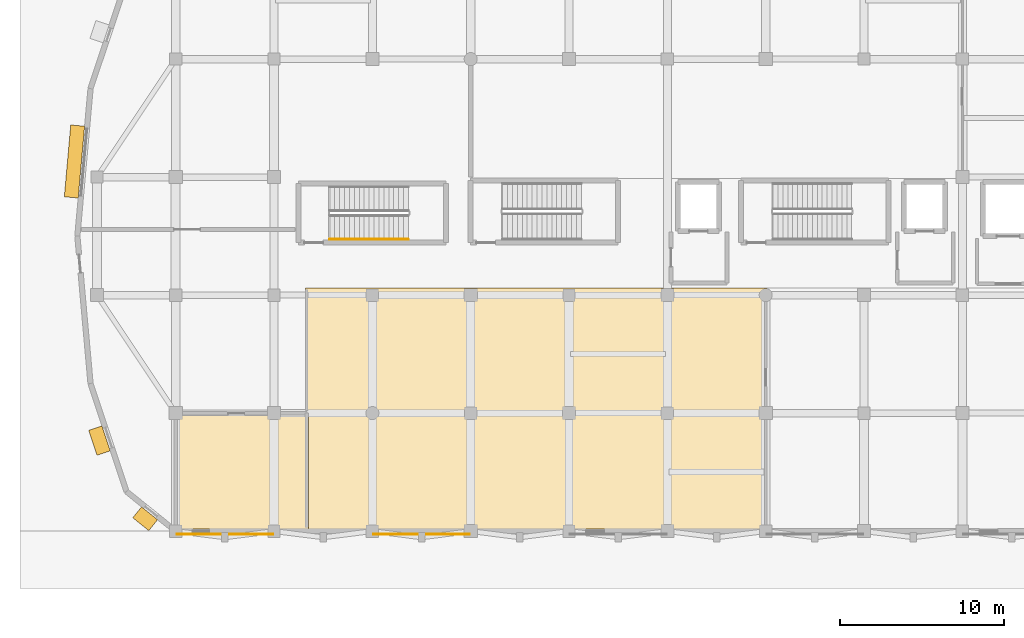
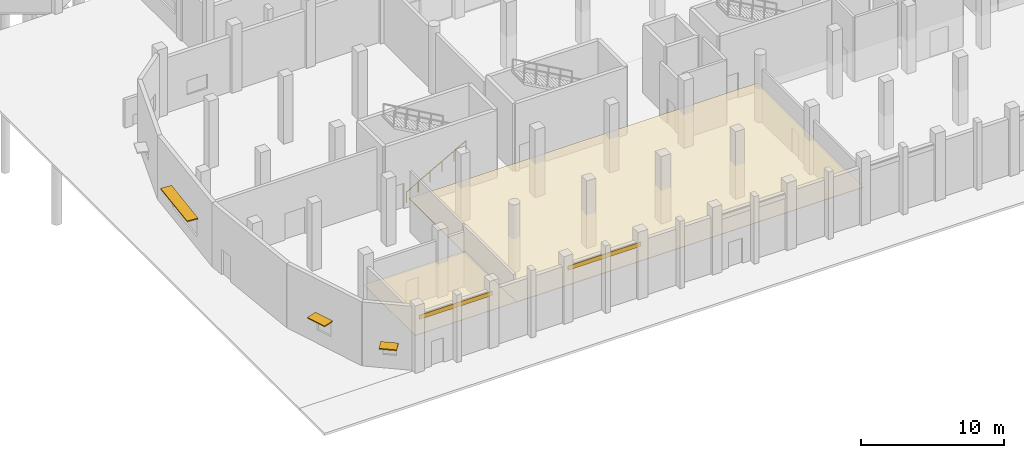
# One storey, part 87 of 103: 4 coverings, 3 shading devices, 1 railing.
"""IFC4 building model written with IfcOpenShell, lengths in metres."""

import ifcopenshell
import ifcopenshell.guid

model = None  # the IFC model being written
_history = None  # IfcOwnerHistory: only IFC2X3 demands one
_inside = {}  # id of a spatial element -> (the spatial element, [elements in it])
_under = {}  # id of a project, library or spatial element -> (it, [spatial elements below it])
_declared = {}  # id of a project -> (the project, [libraries it declares])
_typed = {}  # id of a type object -> (the type object, [elements of that type])
_made_of = {}  # id of a material, layer set ... -> (it, [elements and type objects made of it])


def new_model(schema):
    """Start an empty IFC model of exactly this schema.

    Asked for "IFC4X3", IfcOpenShell would pick the latest addendum, in which some entities
    have other attributes; the version numbers below select the first issue.
    IFC2X3 requires an IfcOwnerHistory on every rooted entity: one is made here for all.
    """
    global model, _history
    if schema == "IFC4X3":
        model = ifcopenshell.file(schema_version=(4, 3, 0, 0))
    else:
        model = ifcopenshell.file(schema=schema)
    _inside.clear()
    _under.clear()
    _declared.clear()
    _typed.clear()
    _made_of.clear()
    _history = None
    if model.schema == "IFC2X3":
        org = make("IfcOrganization", Name="unknown")
        user = make(
            "IfcPersonAndOrganization",
            ThePerson=make("IfcPerson", FamilyName="unknown"),
            TheOrganization=org,
        )
        app = make(
            "IfcApplication",
            ApplicationDeveloper=org,
            Version="unknown",
            ApplicationFullName="unknown",
            ApplicationIdentifier="unknown",
        )
        _history = make(
            "IfcOwnerHistory",
            OwningUser=user,
            OwningApplication=app,
            ChangeAction="ADDED",
            CreationDate=0,
        )
    return model


def make(cls, **values):
    """One entity of the class cls with the attributes given. An attribute that is None is left unset."""
    return model.create_entity(
        cls, **{name: value for name, value in values.items() if value is not None}
    )


def rooted(cls, **values):
    """An entity with a GlobalId (a new one), such as an element, a storey or a relation."""
    return make(cls, GlobalId=ifcopenshell.guid.new(), OwnerHistory=_history, **values)


def si_unit(unit_type, name, prefix=None):
    """IfcSIUnit, for example si_unit("LENGTHUNIT", "METRE", prefix="MILLI")."""
    return make("IfcSIUnit", UnitType=unit_type, Prefix=prefix, Name=name)


def assignment(units):
    """IfcUnitAssignment: the units of a project."""
    return None if units is None else make("IfcUnitAssignment", Units=units)


def point(xyz):
    """IfcCartesianPoint."""
    return None if xyz is None else make("IfcCartesianPoint", Coordinates=xyz)


def direction(xyz):
    """IfcDirection."""
    return None if xyz is None else make("IfcDirection", DirectionRatios=xyz)


def frame(location, z_axis=None, x_axis=None):
    """IfcAxis2Placement3D, a coordinate frame: its origin and axes. An axis left out is left unset."""
    return make(
        "IfcAxis2Placement3D",
        Location=point(location),
        Axis=direction(z_axis),
        RefDirection=direction(x_axis),
    )


def frame_2d(location, x_axis=None):
    """IfcAxis2Placement2D, a coordinate frame in the plane: its origin and x axis."""
    return make(
        "IfcAxis2Placement2D", Location=point(location), RefDirection=direction(x_axis)
    )


def origin():
    """The frame at (0, 0, 0) with its axes left unset."""
    return frame((0.0, 0.0, 0.0))


def origin_2d():
    """The frame at (0, 0) in the plane with its x axis left unset."""
    return frame_2d((0.0, 0.0))


def place(relative_to, where):
    """IfcLocalPlacement: puts the frame where relative to a parent placement (None: the world)."""
    return make(
        "IfcLocalPlacement", PlacementRelTo=relative_to, RelativePlacement=where
    )


def context(
    kind, dimensions, precision=None, world=None, true_north=None, identifier=None
):
    """IfcGeometricRepresentationContext, for example the 3D "Model" context."""
    return make(
        "IfcGeometricRepresentationContext",
        ContextIdentifier=identifier,
        ContextType=kind,
        CoordinateSpaceDimension=dimensions,
        Precision=precision,
        WorldCoordinateSystem=world,
        TrueNorth=true_north,
    )


def subcontext(parent, identifier, kind, view, scale=None):
    """IfcGeometricRepresentationSubContext, for example "Body" below "Model"."""
    return make(
        "IfcGeometricRepresentationSubContext",
        ContextIdentifier=identifier,
        ContextType=kind,
        ParentContext=parent,
        TargetScale=scale,
        TargetView=view,
    )


def project(units=None, contexts=None):
    """IfcProject with its units and contexts."""
    return rooted(
        "IfcProject",
        Name="project",
        RepresentationContexts=contexts,
        UnitsInContext=assignment(units),
    )


def spatial(cls, under=None, at=None, **own):
    """A site, building, storey or space (cls), placed at a placement, below another one or the project."""
    s = rooted(cls, ObjectPlacement=at, **own)
    if under is not None:
        _under.setdefault(under.id(), (under, []))[1].append(s)
    return s


def polyline(points):
    """IfcPolyline through the points."""
    return make("IfcPolyline", Points=[point(p) for p in points])


def profile(cls, at=None, kind="AREA", **sizes):
    """A parametric profile (cls). Its sizes go by their IFC names, for example OverallWidth=200.0."""
    return make(cls, ProfileType=kind, Position=at, **sizes)


def rectangle(**sizes):
    """IfcRectangleProfileDef."""
    return profile("IfcRectangleProfileDef", **sizes)


def circle(**sizes):
    """IfcCircleProfileDef."""
    return profile("IfcCircleProfileDef", **sizes)


def outline(outer, holes=None, kind="AREA"):
    """IfcArbitraryClosedProfileDef: a profile drawn as a closed curve; with holes, ...WithVoids."""
    if holes is None:
        return make("IfcArbitraryClosedProfileDef", ProfileType=kind, OuterCurve=outer)
    return make(
        "IfcArbitraryProfileDefWithVoids",
        ProfileType=kind,
        OuterCurve=outer,
        InnerCurves=holes,
    )


def extrude(swept, where, along, depth):
    """IfcExtrudedAreaSolid: the profile swept, set in the frame where, extruded along a direction by depth."""
    return make(
        "IfcExtrudedAreaSolid",
        SweptArea=swept,
        Position=where,
        ExtrudedDirection=direction(along),
        Depth=depth,
    )


def shape(context_of_items, identifier, shape_type, items):
    """IfcShapeRepresentation: the items that make up one representation, for example the "Body"."""
    return make(
        "IfcShapeRepresentation",
        ContextOfItems=context_of_items,
        RepresentationIdentifier=identifier,
        RepresentationType=shape_type,
        Items=items,
    )


def material(Name=None, Category=None):
    """IfcMaterial."""
    return make("IfcMaterial", Name=Name, Category=Category)


def layer(
    of_material, thickness, ventilated=None, Name=None, Category=None, Priority=None
):
    """IfcMaterialLayer: one layer of a wall or slab, of a material (None: an air gap)."""
    return make(
        "IfcMaterialLayer",
        Material=of_material,
        LayerThickness=thickness,
        IsVentilated=ventilated,
        Name=Name,
        Category=Category,
        Priority=Priority,
    )


def layer_set(layers, Name=None):
    """IfcMaterialLayerSet."""
    return make("IfcMaterialLayerSet", MaterialLayers=layers, LayerSetName=Name)


def made_of(thing, what):
    """Note that an element or type object is made of a material, layer set ...; save() writes the relation."""
    if what is not None:
        _made_of.setdefault(what.id(), (what, []))[1].append(thing)
    return thing


def type_object(cls, material=None, **own):
    """A type object (cls), such as IfcWallType, which elements share."""
    return made_of(rooted(cls, **own), material)


def element(
    cls,
    number,
    at=None,
    inside=None,
    cuts=None,
    type_object=None,
    material=None,
    context=None,
    identifier="Body",
    shape_type=None,
    held_by="IfcProductDefinitionShape",
    body=None,
    shapes=None,
    **own,
):
    """One element of the class cls, such as IfcWall. Its Tag is "e" and its number.

    at: its placement. inside: the storey or other place that contains it. cuts: it is an
    opening in that element (IfcRelVoidsElement). A single representation is given by context,
    identifier, shape_type and body (its items); several are given by shapes. held_by: the class
    of the entity that holds the representations. save() writes the other relations.
    """
    e = rooted(cls, Tag="e%d" % number, ObjectPlacement=at, **own)
    if body is not None:
        shapes = [shape(context, identifier, shape_type, body)]
    if shapes is not None:
        e.Representation = make(held_by, Representations=shapes)
    if inside is not None:
        _inside.setdefault(inside.id(), (inside, []))[1].append(e)
    if cuts is not None:
        rooted(
            "IfcRelVoidsElement", RelatingBuildingElement=cuts, RelatedOpeningElement=e
        )
    if type_object is not None:
        _typed.setdefault(type_object.id(), (type_object, []))[1].append(e)
    return made_of(e, material)


def aggregate(whole, parts):
    """IfcRelAggregates: a whole, such as a stair, and the parts it consists of."""
    return rooted("IfcRelAggregates", RelatingObject=whole, RelatedObjects=parts)


def save(model, path):
    """Write the relations noted so far, then the file.

    IfcRelAggregates (storeys below a building ...), IfcRelContainedInSpatialStructure (elements
    in a storey), IfcRelDefinesByType, IfcRelAssociatesMaterial and IfcRelDeclares: one each for
    every whole, place, type object, material and project.
    """
    for whole, parts in _under.values():
        aggregate(whole, parts)
    for where, things in _inside.values():
        rooted(
            "IfcRelContainedInSpatialStructure",
            RelatedElements=things,
            RelatingStructure=where,
        )
    for kind, things in _typed.values():
        rooted("IfcRelDefinesByType", RelatedObjects=things, RelatingType=kind)
    for what, things in _made_of.values():
        rooted("IfcRelAssociatesMaterial", RelatedObjects=things, RelatingMaterial=what)
    for by, libraries in _declared.values():
        rooted("IfcRelDeclares", RelatingContext=by, RelatedDefinitions=libraries)
    model.write(path)


model = new_model("IFC4")

# Units and contexts
model_context = context("Model", 3, precision=1e-05, world=origin(), true_north=direction((0.0, 1.0)))
body_context = subcontext(model_context, "Body", "Model", "MODEL_VIEW")
ifc_project = project(units=[si_unit("LENGTHUNIT", "METRE"), si_unit("AREAUNIT", "SQUARE_METRE"), si_unit("VOLUMEUNIT", "CUBIC_METRE"), si_unit("PLANEANGLEUNIT", "RADIAN"), si_unit("MASSUNIT", "GRAM", prefix="KILO")], contexts=[model_context])

# Site, building, storey
site_placement = place(None, origin())
site = spatial("IfcSite", under=ifc_project, at=site_placement, CompositionType="ELEMENT")
building_placement = place(site_placement, origin())
building = spatial("IfcBuilding", under=site, at=building_placement, Name="Dunvalen Ferry Terminal", CompositionType="ELEMENT")
storey_placement = place(building_placement, origin())
storey = spatial("IfcBuildingStorey", under=building, at=storey_placement, Name="L00", CompositionType="ELEMENT", Elevation=0.0)

# Coverings
ifc_material_1 = material(Name="Anodised marine aluminium fascia cladding", Category="aluminium")
ifc_layer_1 = layer(ifc_material_1, 0.050048828125, Name="Anodised marine aluminium fascia cladding")
ifc_layer_set_1 = layer_set([ifc_layer_1], Name="Anodised marine aluminium fascia cladding")
covering_type_1 = type_object("IfcCoveringType", Name="ENV-COV-CLD01", PredefinedType="CLADDING", material=ifc_layer_set_1)
for number, where, z_axis, x_axis, name in (
    (1, (9.0, -0.18408203125, 4.35986328125), (0.0, 0.0, 1.0), (1.0, 0.0, 0.0), "L00 Streamline Speed-Line Fascia Band 001"),
    (2, (21.0, -0.18408203125, 4.35986328125), (0.0, 0.0, 1.0), (1.0, 0.0, 0.0), "L00 Streamline Speed-Line Fascia Band 002"),
):
    element("IfcCovering", number, at=place(storey_placement, frame(where, z_axis=z_axis, x_axis=x_axis)), inside=storey, type_object=covering_type_1, Name=name, PredefinedType="CLADDING", context=body_context, shape_type="SweptSolid", body=[
        extrude(rectangle(XDim=5.89990234375, YDim=0.050048828125, at=origin_2d()), origin(), (0.0, 0.0, 1.0), 0.360107421875),
    ])

# Shading devices
ifc_material_2 = material(Name="Anodised marine aluminium EN AW-6063 T6", Category="aluminium")
ifc_layer_2 = layer(ifc_material_2, 0.090087890625, Name="Anodised marine aluminium EN AW-6063 T6")
ifc_layer_set_2 = layer_set([ifc_layer_2], Name="Anodised marine aluminium EN AW-6063 T6")
shading_device_type = type_object("IfcShadingDeviceType", Name="ENV-SHD-AWN01", PredefinedType="AWNING", material=ifc_layer_set_2)
shading_device_1_placement = place(storey_placement, frame((-0.1767578125, 22.5517578125, 2.5849609375), z_axis=(0.0, 0.0, 1.0), x_axis=(-0.088957034029, -0.996035464277, 0.0)))
element("IfcShadingDevice", 3, at=shading_device_1_placement, inside=storey, type_object=shading_device_type, Name="L00 Streamline Brise-Soleil Eyebrow 006", PredefinedType="AWNING", context=body_context, shape_type="SweptSolid", body=[
    extrude(rectangle(XDim=4.39990234375, YDim=0.85009765625, at=origin_2d()), origin(), (0.0, 0.0, 1.0), 0.090087890625),
])
shading_device_2_placement = place(storey_placement, frame((1.3505859375, 5.52197265625, 2.48486328125), z_axis=(0.0, 0.0, 1.0), x_axis=(0.316232085723, -0.948681858138, 0.0)))
element("IfcShadingDevice", 4, at=shading_device_2_placement, inside=storey, type_object=shading_device_type, Name="L00 Streamline Brise-Soleil Eyebrow 007", PredefinedType="AWNING", context=body_context, shape_type="SweptSolid", body=[
    extrude(rectangle(XDim=1.60009765625, YDim=0.85009765625, at=origin_2d()), origin(), (0.0, 0.0, 1.0), 0.090087890625),
])
shading_device_3_placement = place(storey_placement, frame((4.135986328125, 0.7529296875, 2.134765625), z_axis=(0.0, 0.0, 1.0), x_axis=(0.779409252356, -0.626515137361, 0.0)))
element("IfcShadingDevice", 5, at=shading_device_3_placement, inside=storey, type_object=shading_device_type, Name="L00 Streamline Brise-Soleil Eyebrow 008", PredefinedType="AWNING", context=body_context, shape_type="SweptSolid", body=[
    extrude(rectangle(XDim=1.25, YDim=0.85009765625, at=origin_2d()), origin(), (0.0, 0.0, 1.0), 0.090087890625),
])

# Coverings
ifc_material_3 = material(Name="Perforated marine aluminium acoustic baffle ceiling", Category="aluminium")
ifc_layer_3 = layer(ifc_material_3, 0.0400390625, Name="Perforated marine aluminium acoustic baffle ceiling")
ifc_layer_set_3 = layer_set([ifc_layer_3], Name="Perforated marine aluminium acoustic baffle ceiling")
covering_type_2 = type_object("IfcCoveringType", Name="INT-COV-CLG01", PredefinedType="CEILING", material=ifc_layer_set_3)
covering_1_placement = place(storey_placement, frame((0.0, 0.0, 2.81005859375)))
element("IfcCovering", 6, at=covering_1_placement, inside=storey, type_object=covering_type_2, Name="L00 Fire Command Room Acoustic Suspended Ceiling", PredefinedType="CEILING", context=body_context, shape_type="SweptSolid", body=[
    extrude(outline(polyline([(5.909912109375, 7.2900390625), (5.909912109375, 0.2392578125), (6.0458984375, 0.1298828125), (14.090087890625, 0.1298828125), (14.090087890625, 7.2900390625), (5.909912109375, 7.2900390625)])), origin(), (0.0, 0.0, 1.0), 0.0400390625),
])
ifc_material_4 = material(Name="Moisture-resistant mineral-fibre acoustic ceiling", Category="gypsum")
ifc_layer_4 = layer(ifc_material_4, 0.050048828125, Name="Moisture-resistant mineral-fibre acoustic ceiling")
ifc_layer_set_4 = layer_set([ifc_layer_4], Name="Moisture-resistant mineral-fibre acoustic ceiling")
covering_type_3 = type_object("IfcCoveringType", Name="INT-COV-CLG02", PredefinedType="CEILING", material=ifc_layer_set_4)
covering_2_placement = place(storey_placement, frame((0.0, 0.0, 2.800048828125)))
element("IfcCovering", 7, at=covering_2_placement, inside=storey, type_object=covering_type_3, Name="L00 Port Security and Access Control Suite Acoustic Suspended Ceiling", PredefinedType="CEILING", context=body_context, shape_type="SweptSolid", body=[
    extrude(outline(polyline([(42.090087890625, 14.830078125), (13.909912109375, 14.830078125), (13.909912109375, 7.2998046875), (14.044189453125, 7.244140625), (14.070068359375, 7.18212890625), (14.070068359375, 0.1298828125), (42.090087890625, 0.1298828125), (42.090087890625, 14.830078125)])), origin(), (0.0, 0.0, 1.0), 0.050048828125),
])

# Railing
ifc_material_5 = material(Name="Brushed 316 stainless steel", Category="steel")
railing_type = type_object("IfcRailingType", Name="INT-RL-STHND", PredefinedType="HANDRAIL", material=ifc_material_5)
railing_placement = place(storey_placement, frame((15.39990234375, 17.800048828125, 0.16943359375)))
element("IfcRailing", 8, at=railing_placement, inside=storey, type_object=railing_type, Name="L00 ST5 stair handrail 1", PredefinedType="HANDRAIL", context=body_context, shape_type="SweptSolid", body=[
    extrude(circle(Radius=0.02392578125, at=origin_2d()), frame((0.0, 0.0, 0.8759765625), z_axis=(0.870766506294, 0.0, 0.491696747514), x_axis=(0.0, 1.0, 0.0)), (0.0, 0.0, 1.0), 5.512451171875),
    extrude(circle(Radius=0.02099609375, at=origin_2d()), origin(), (0.0, 0.0, 1.0), 0.851806640625),
    extrude(circle(Radius=0.02099609375, at=origin_2d()), frame((0.9599609375, 0.0, 0.5419921875)), (0.0, 0.0, 1.0), 0.851806640625),
    extrude(circle(Radius=0.02099609375, at=origin_2d()), frame((1.919921875, 0.0, 1.084228515625)), (0.0, 0.0, 1.0), 0.851806640625),
    extrude(circle(Radius=0.02099609375, at=origin_2d()), frame((2.880126953125, 0.0, 1.626220703125)), (0.0, 0.0, 1.0), 0.851806640625),
    extrude(circle(Radius=0.02099609375, at=origin_2d()), frame((3.840087890625, 0.0, 2.16845703125)), (0.0, 0.0, 1.0), 0.851806640625),
    extrude(circle(Radius=0.02099609375, at=origin_2d()), frame((4.800048828125, 0.0, 2.71044921875)), (0.0, 0.0, 1.0), 0.851806640625),
])

save(model, "model.ifc")
